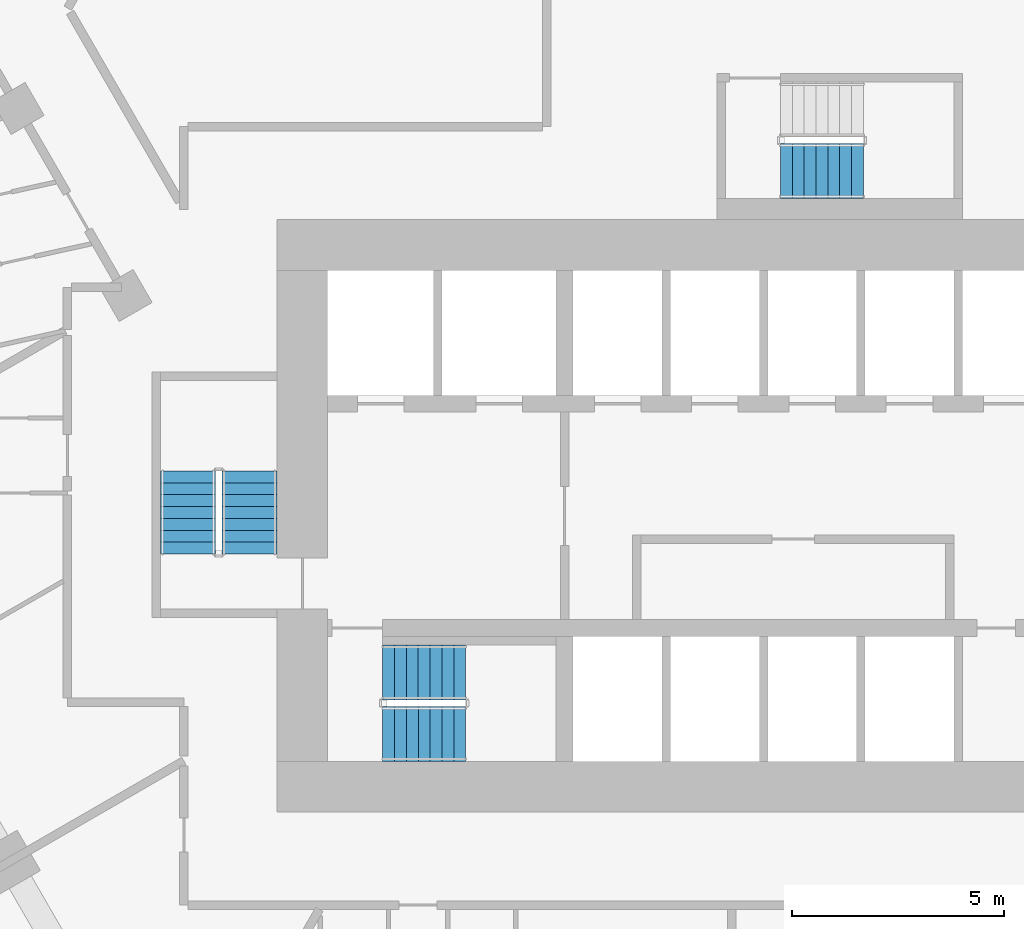
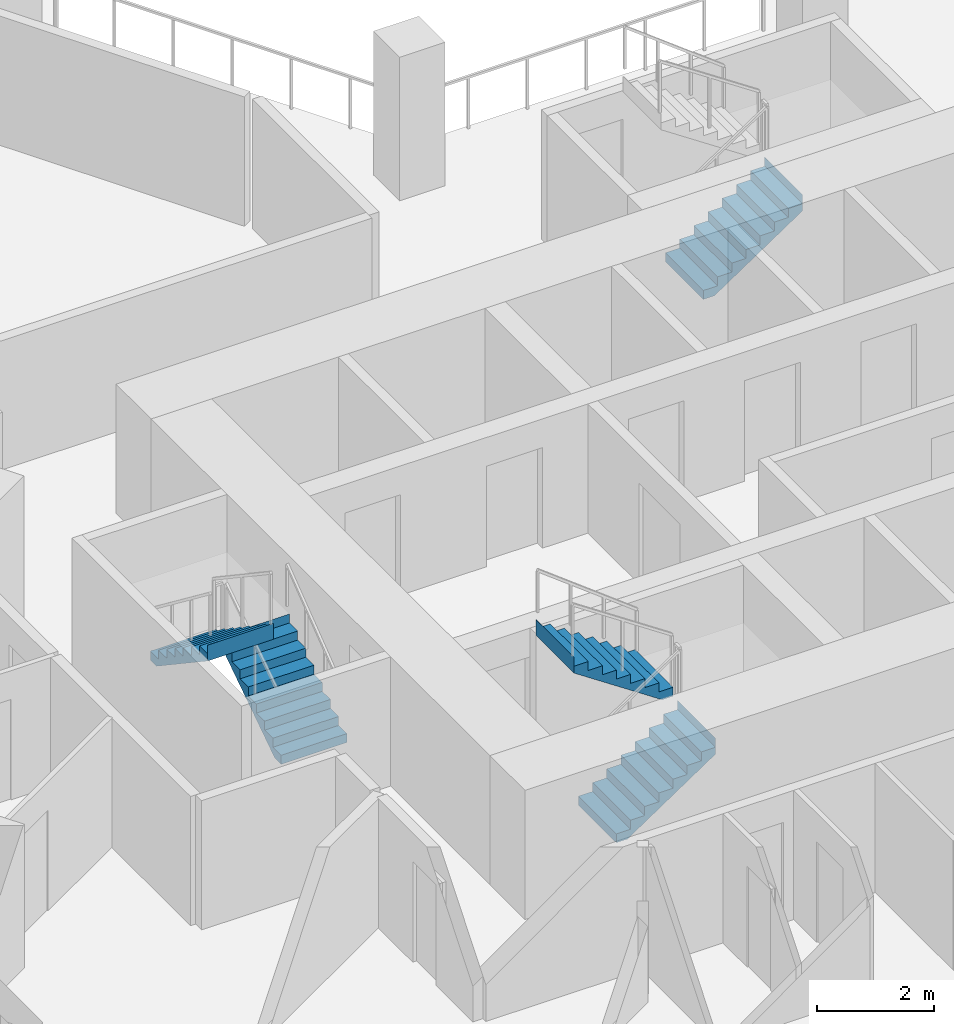
# One storey, part 11 of 16: 5 stair flights, 3 elements without a shape of their own.
"""IFC4 building model written with IfcOpenShell, lengths in metres."""

from ifc_helpers import new_model, si_unit, direction, frame, origin, place, context, subcontext, project, spatial, triangles, material, type_object, element, aggregate, save


model = new_model("IFC4")

# Units and contexts
model_context = context("Model", 3, precision=1e-05, world=origin(), true_north=direction((0.0, 1.0)))
body_context = subcontext(model_context, "Body", "Model", "MODEL_VIEW")
ifc_project = project(units=[si_unit("LENGTHUNIT", "METRE"), si_unit("AREAUNIT", "SQUARE_METRE"), si_unit("VOLUMEUNIT", "CUBIC_METRE"), si_unit("PLANEANGLEUNIT", "RADIAN"), si_unit("MASSUNIT", "GRAM", prefix="KILO")], contexts=[model_context])

# Site, building, storey
site_placement = place(None, origin())
site = spatial("IfcSite", under=ifc_project, at=site_placement, CompositionType="ELEMENT")
building_placement = place(site_placement, origin())
building = spatial("IfcBuilding", under=site, at=building_placement, Name="Beryl Residences", CompositionType="ELEMENT")
storey_placement = place(building_placement, frame((0.0, 0.0, 50.39990234375)))
storey = spatial("IfcBuildingStorey", under=building, at=storey_placement, Name="L15", CompositionType="ELEMENT", Elevation=50.39990234375)

# Stair, stair flights
ifc_material_1 = material(Name="Concrete C40/50", Category="concrete")
stair_type = type_object("IfcStairType", Name="ST1 protected exit stair, half-turn, 1300 mm flights", PredefinedType="HALF_TURN_STAIR", material=ifc_material_1)
stair_1_placement = place(storey_placement, origin())
stair_1 = element("IfcStair", 1, at=stair_1_placement, inside=storey, type_object=stair_type, Name="L15 PROTECTED EXIT STAIR ST-1", PredefinedType="HALF_TURN_STAIR")
ifc_material_2 = material(Name="Concrete C40/50", Category="concrete")
stair_flight_type = type_object("IfcStairFlightType", Name="SF1 stair flight 1300 mm", PredefinedType="STRAIGHT", material=ifc_material_2)
stair_flight_1_placement = place(storey_placement, frame((-10.800048828125, -17.14990234375, 0.0), z_axis=(0.0, 0.0, 1.0), x_axis=(1.0, 0.0, 0.0)))
stair_flight_1 = element("IfcStairFlight", 2, at=stair_flight_1_placement, type_object=stair_flight_type, Name="ST-1 flight 1", NumberOfRisers=8, NumberOfTreads=7, PredefinedType="STRAIGHT", RiserHeight=0.1875, TreadLength=0.28, context=body_context, shape_type="Tessellation", body=[
    triangles([(0.0, -0.64990234375, 0.0), (0.0, -0.324951171875, 0.0), (0.0, 0.0, 0.0), (0.0, 0.324951171875, 0.0), (0.0, 0.64990234375, 0.0), (0.0, -0.64990234375, 0.1875), (0.0, -0.324951171875, 0.1875), (0.0, 0.0, 0.1875), (0.0, 0.324951171875, 0.1875), (0.0, 0.64990234375, 0.1875), (0.280029296875, -0.64990234375, 0.1875), (0.280029296875, -0.324951171875, 0.1875), (0.280029296875, 0.0, 0.1875), (0.280029296875, 0.324951171875, 0.1875), (0.280029296875, 0.64990234375, 0.1875), (0.280029296875, -0.64990234375, 0.375), (0.280029296875, -0.324951171875, 0.375), (0.280029296875, 0.0, 0.375), (0.280029296875, 0.324951171875, 0.375), (0.280029296875, 0.64990234375, 0.375), (0.56005859375, -0.64990234375, 0.375), (0.56005859375, -0.324951171875, 0.375), (0.56005859375, 0.0, 0.375), (0.56005859375, 0.324951171875, 0.375), (0.56005859375, 0.64990234375, 0.375), (0.56005859375, -0.64990234375, 0.5625), (0.56005859375, -0.324951171875, 0.5625), (0.56005859375, 0.0, 0.5625), (0.56005859375, 0.324951171875, 0.5625), (0.56005859375, 0.64990234375, 0.5625), (0.840087890625, -0.64990234375, 0.5625), (0.840087890625, -0.324951171875, 0.5625), (0.840087890625, 0.0, 0.5625), (0.840087890625, 0.324951171875, 0.5625), (0.840087890625, 0.64990234375, 0.5625), (0.840087890625, -0.64990234375, 0.75), (0.840087890625, -0.324951171875, 0.75), (0.840087890625, 0.0, 0.75), (0.840087890625, 0.324951171875, 0.75), (0.840087890625, 0.64990234375, 0.75), (1.1201171875, -0.64990234375, 0.75), (1.1201171875, -0.324951171875, 0.75), (1.1201171875, 0.0, 0.75), (1.1201171875, 0.324951171875, 0.75), (1.1201171875, 0.64990234375, 0.75), (1.1201171875, -0.64990234375, 0.9375), (1.1201171875, -0.324951171875, 0.9375), (1.1201171875, 0.0, 0.9375), (1.1201171875, 0.324951171875, 0.9375), (1.1201171875, 0.64990234375, 0.9375), (1.39990234375, -0.64990234375, 0.9375), (1.39990234375, -0.324951171875, 0.9375), (1.39990234375, 0.0, 0.9375), (1.39990234375, 0.324951171875, 0.9375), (1.39990234375, 0.64990234375, 0.9375), (1.39990234375, -0.64990234375, 1.125), (1.39990234375, -0.324951171875, 1.125), (1.39990234375, 0.0, 1.125), (1.39990234375, 0.324951171875, 1.125), (1.39990234375, 0.64990234375, 1.125), (1.679931640625, -0.64990234375, 1.125), (1.679931640625, -0.324951171875, 1.125), (1.679931640625, 0.0, 1.125), (1.679931640625, 0.324951171875, 1.125), (1.679931640625, 0.64990234375, 1.125), (1.679931640625, -0.64990234375, 1.3125), (1.679931640625, -0.324951171875, 1.3125), (1.679931640625, 0.0, 1.3125), (1.679931640625, 0.324951171875, 1.3125), (1.679931640625, 0.64990234375, 1.3125), (1.9599609375, -0.64990234375, 1.3125), (1.9599609375, -0.324951171875, 1.3125), (1.9599609375, 0.0, 1.3125), (1.9599609375, 0.324951171875, 1.3125), (1.9599609375, 0.64990234375, 1.3125), (1.9599609375, -0.64990234375, 1.5), (1.9599609375, -0.324951171875, 1.5), (1.9599609375, 0.0, 1.5), (1.9599609375, 0.324951171875, 1.5), (1.9599609375, 0.64990234375, 1.5), (1.9609375, -0.64990234375, 1.5), (1.9609375, -0.324951171875, 1.5), (1.9609375, 0.0, 1.5), (1.9609375, 0.324951171875, 1.5), (1.9609375, 0.64990234375, 1.5), (1.9609375, -0.64990234375, 1.16796875), (1.9609375, -0.324951171875, 1.16796875), (1.9609375, 0.0, 1.16796875), (1.9609375, 0.324951171875, 1.16796875), (1.9609375, 0.64990234375, 1.16796875), (0.216796875, -0.64990234375, 0.0), (0.216796875, -0.324951171875, 0.0), (0.216796875, 0.0, 0.0), (0.216796875, 0.324951171875, 0.0), (0.216796875, 0.64990234375, 0.0)], [[1, 6, 7], [1, 7, 2], [2, 7, 8], [2, 8, 3], [3, 8, 9], [3, 9, 4], [4, 9, 10], [4, 10, 5], [6, 11, 12], [6, 12, 7], [7, 12, 13], [7, 13, 8], [8, 13, 14], [8, 14, 9], [9, 14, 15], [9, 15, 10], [11, 16, 17], [11, 17, 12], [12, 17, 18], [12, 18, 13], [13, 18, 19], [13, 19, 14], [14, 19, 20], [14, 20, 15], [16, 21, 22], [16, 22, 17], [17, 22, 23], [17, 23, 18], [18, 23, 24], [18, 24, 19], [19, 24, 25], [19, 25, 20], [21, 26, 27], [21, 27, 22], [22, 27, 28], [22, 28, 23], [23, 28, 29], [23, 29, 24], [24, 29, 30], [24, 30, 25], [26, 31, 32], [26, 32, 27], [27, 32, 33], [27, 33, 28], [28, 33, 34], [28, 34, 29], [29, 34, 35], [29, 35, 30], [31, 36, 37], [31, 37, 32], [32, 37, 38], [32, 38, 33], [33, 38, 39], [33, 39, 34], [34, 39, 40], [34, 40, 35], [36, 41, 42], [36, 42, 37], [37, 42, 43], [37, 43, 38], [38, 43, 44], [38, 44, 39], [39, 44, 45], [39, 45, 40], [41, 46, 47], [41, 47, 42], [42, 47, 48], [42, 48, 43], [43, 48, 49], [43, 49, 44], [44, 49, 50], [44, 50, 45], [46, 51, 52], [46, 52, 47], [47, 52, 53], [47, 53, 48], [48, 53, 54], [48, 54, 49], [49, 54, 55], [49, 55, 50], [51, 56, 57], [51, 57, 52], [52, 57, 58], [52, 58, 53], [53, 58, 59], [53, 59, 54], [54, 59, 60], [54, 60, 55], [56, 61, 62], [56, 62, 57], [57, 62, 63], [57, 63, 58], [58, 63, 64], [58, 64, 59], [59, 64, 65], [59, 65, 60], [61, 66, 67], [61, 67, 62], [62, 67, 68], [62, 68, 63], [63, 68, 69], [63, 69, 64], [64, 69, 70], [64, 70, 65], [66, 71, 72], [66, 72, 67], [67, 72, 73], [67, 73, 68], [68, 73, 74], [68, 74, 69], [69, 74, 75], [69, 75, 70], [71, 76, 77], [71, 77, 72], [72, 77, 78], [72, 78, 73], [73, 78, 79], [73, 79, 74], [74, 79, 80], [74, 80, 75], [76, 81, 82], [76, 82, 77], [77, 82, 83], [77, 83, 78], [78, 83, 84], [78, 84, 79], [79, 84, 85], [79, 85, 80], [81, 86, 87], [81, 87, 82], [82, 87, 88], [82, 88, 83], [83, 88, 89], [83, 89, 84], [84, 89, 90], [84, 90, 85], [86, 91, 92], [86, 92, 87], [87, 92, 93], [87, 93, 88], [88, 93, 94], [88, 94, 89], [89, 94, 95], [89, 95, 90], [91, 1, 2], [91, 2, 92], [92, 2, 3], [92, 3, 93], [93, 3, 4], [93, 4, 94], [94, 4, 5], [94, 5, 95], [1, 91, 86], [5, 90, 95], [86, 81, 76], [90, 80, 85], [86, 76, 71], [90, 75, 80], [86, 71, 66], [90, 70, 75], [86, 66, 61], [90, 65, 70], [61, 56, 51], [65, 55, 60], [86, 61, 51], [90, 55, 65], [51, 46, 41], [55, 45, 50], [86, 51, 41], [90, 45, 55], [41, 36, 31], [45, 35, 40], [86, 41, 31], [90, 35, 45], [31, 26, 21], [35, 25, 30], [86, 31, 21], [90, 25, 35], [21, 16, 11], [25, 15, 20], [86, 21, 11], [90, 15, 25], [1, 86, 11], [5, 15, 90], [11, 6, 1], [15, 5, 10]], closed=True),
])
stair_flight_2_placement = place(storey_placement, frame((-8.840087890625, -15.699951171875, 1.5), z_axis=(0.0, 0.0, 1.0), x_axis=(-1.0, 0.0, 0.0)))
stair_flight_2 = element("IfcStairFlight", 3, at=stair_flight_2_placement, type_object=stair_flight_type, Name="ST-1 flight 2", NumberOfRisers=8, NumberOfTreads=7, PredefinedType="STRAIGHT", RiserHeight=0.1875, TreadLength=0.28, context=body_context, shape_type="Tessellation", body=[
    triangles([(0.0, -0.64990234375, 0.0), (0.0, -0.324951171875, 0.0), (0.0, 0.0, 0.0), (0.0, 0.324951171875, 0.0), (0.0, 0.64990234375, 0.0), (0.0, -0.64990234375, 0.1875), (0.0, -0.324951171875, 0.1875), (0.0, 0.0, 0.1875), (0.0, 0.324951171875, 0.1875), (0.0, 0.64990234375, 0.1875), (0.280029296875, -0.64990234375, 0.1875), (0.280029296875, -0.324951171875, 0.1875), (0.280029296875, 0.0, 0.1875), (0.280029296875, 0.324951171875, 0.1875), (0.280029296875, 0.64990234375, 0.1875), (0.280029296875, -0.64990234375, 0.375), (0.280029296875, -0.324951171875, 0.375), (0.280029296875, 0.0, 0.375), (0.280029296875, 0.324951171875, 0.375), (0.280029296875, 0.64990234375, 0.375), (0.56005859375, -0.64990234375, 0.375), (0.56005859375, -0.324951171875, 0.375), (0.56005859375, 0.0, 0.375), (0.56005859375, 0.324951171875, 0.375), (0.56005859375, 0.64990234375, 0.375), (0.56005859375, -0.64990234375, 0.5625), (0.56005859375, -0.324951171875, 0.5625), (0.56005859375, 0.0, 0.5625), (0.56005859375, 0.324951171875, 0.5625), (0.56005859375, 0.64990234375, 0.5625), (0.840087890625, -0.64990234375, 0.5625), (0.840087890625, -0.324951171875, 0.5625), (0.840087890625, 0.0, 0.5625), (0.840087890625, 0.324951171875, 0.5625), (0.840087890625, 0.64990234375, 0.5625), (0.840087890625, -0.64990234375, 0.75), (0.840087890625, -0.324951171875, 0.75), (0.840087890625, 0.0, 0.75), (0.840087890625, 0.324951171875, 0.75), (0.840087890625, 0.64990234375, 0.75), (1.1201171875, -0.64990234375, 0.75), (1.1201171875, -0.324951171875, 0.75), (1.1201171875, 0.0, 0.75), (1.1201171875, 0.324951171875, 0.75), (1.1201171875, 0.64990234375, 0.75), (1.1201171875, -0.64990234375, 0.9375), (1.1201171875, -0.324951171875, 0.9375), (1.1201171875, 0.0, 0.9375), (1.1201171875, 0.324951171875, 0.9375), (1.1201171875, 0.64990234375, 0.9375), (1.39990234375, -0.64990234375, 0.9375), (1.39990234375, -0.324951171875, 0.9375), (1.39990234375, 0.0, 0.9375), (1.39990234375, 0.324951171875, 0.9375), (1.39990234375, 0.64990234375, 0.9375), (1.39990234375, -0.64990234375, 1.125), (1.39990234375, -0.324951171875, 1.125), (1.39990234375, 0.0, 1.125), (1.39990234375, 0.324951171875, 1.125), (1.39990234375, 0.64990234375, 1.125), (1.679931640625, -0.64990234375, 1.125), (1.679931640625, -0.324951171875, 1.125), (1.679931640625, 0.0, 1.125), (1.679931640625, 0.324951171875, 1.125), (1.679931640625, 0.64990234375, 1.125), (1.679931640625, -0.64990234375, 1.3125), (1.679931640625, -0.324951171875, 1.3125), (1.679931640625, 0.0, 1.3125), (1.679931640625, 0.324951171875, 1.3125), (1.679931640625, 0.64990234375, 1.3125), (1.9599609375, -0.64990234375, 1.3125), (1.9599609375, -0.324951171875, 1.3125), (1.9599609375, 0.0, 1.3125), (1.9599609375, 0.324951171875, 1.3125), (1.9599609375, 0.64990234375, 1.3125), (1.9599609375, -0.64990234375, 1.5), (1.9599609375, -0.324951171875, 1.5), (1.9599609375, 0.0, 1.5), (1.9599609375, 0.324951171875, 1.5), (1.9599609375, 0.64990234375, 1.5), (1.9609375, -0.64990234375, 1.5), (1.9609375, -0.324951171875, 1.5), (1.9609375, 0.0, 1.5), (1.9609375, 0.324951171875, 1.5), (1.9609375, 0.64990234375, 1.5), (1.9609375, -0.64990234375, 1.16796875), (1.9609375, -0.324951171875, 1.16796875), (1.9609375, 0.0, 1.16796875), (1.9609375, 0.324951171875, 1.16796875), (1.9609375, 0.64990234375, 1.16796875), (0.216796875, -0.64990234375, 0.0), (0.216796875, -0.324951171875, 0.0), (0.216796875, 0.0, 0.0), (0.216796875, 0.324951171875, 0.0), (0.216796875, 0.64990234375, 0.0)], [[1, 6, 7], [1, 7, 2], [2, 7, 8], [2, 8, 3], [3, 8, 9], [3, 9, 4], [4, 9, 10], [4, 10, 5], [6, 11, 12], [6, 12, 7], [7, 12, 13], [7, 13, 8], [8, 13, 14], [8, 14, 9], [9, 14, 15], [9, 15, 10], [11, 16, 17], [11, 17, 12], [12, 17, 18], [12, 18, 13], [13, 18, 19], [13, 19, 14], [14, 19, 20], [14, 20, 15], [16, 21, 22], [16, 22, 17], [17, 22, 23], [17, 23, 18], [18, 23, 24], [18, 24, 19], [19, 24, 25], [19, 25, 20], [21, 26, 27], [21, 27, 22], [22, 27, 28], [22, 28, 23], [23, 28, 29], [23, 29, 24], [24, 29, 30], [24, 30, 25], [26, 31, 32], [26, 32, 27], [27, 32, 33], [27, 33, 28], [28, 33, 34], [28, 34, 29], [29, 34, 35], [29, 35, 30], [31, 36, 37], [31, 37, 32], [32, 37, 38], [32, 38, 33], [33, 38, 39], [33, 39, 34], [34, 39, 40], [34, 40, 35], [36, 41, 42], [36, 42, 37], [37, 42, 43], [37, 43, 38], [38, 43, 44], [38, 44, 39], [39, 44, 45], [39, 45, 40], [41, 46, 47], [41, 47, 42], [42, 47, 48], [42, 48, 43], [43, 48, 49], [43, 49, 44], [44, 49, 50], [44, 50, 45], [46, 51, 52], [46, 52, 47], [47, 52, 53], [47, 53, 48], [48, 53, 54], [48, 54, 49], [49, 54, 55], [49, 55, 50], [51, 56, 57], [51, 57, 52], [52, 57, 58], [52, 58, 53], [53, 58, 59], [53, 59, 54], [54, 59, 60], [54, 60, 55], [56, 61, 62], [56, 62, 57], [57, 62, 63], [57, 63, 58], [58, 63, 64], [58, 64, 59], [59, 64, 65], [59, 65, 60], [61, 66, 67], [61, 67, 62], [62, 67, 68], [62, 68, 63], [63, 68, 69], [63, 69, 64], [64, 69, 70], [64, 70, 65], [66, 71, 72], [66, 72, 67], [67, 72, 73], [67, 73, 68], [68, 73, 74], [68, 74, 69], [69, 74, 75], [69, 75, 70], [71, 76, 77], [71, 77, 72], [72, 77, 78], [72, 78, 73], [73, 78, 79], [73, 79, 74], [74, 79, 80], [74, 80, 75], [76, 81, 82], [76, 82, 77], [77, 82, 83], [77, 83, 78], [78, 83, 84], [78, 84, 79], [79, 84, 85], [79, 85, 80], [81, 86, 87], [81, 87, 82], [82, 87, 88], [82, 88, 83], [83, 88, 89], [83, 89, 84], [84, 89, 90], [84, 90, 85], [86, 91, 92], [86, 92, 87], [87, 92, 93], [87, 93, 88], [88, 93, 94], [88, 94, 89], [89, 94, 95], [89, 95, 90], [91, 1, 2], [91, 2, 92], [92, 2, 3], [92, 3, 93], [93, 3, 4], [93, 4, 94], [94, 4, 5], [94, 5, 95], [1, 91, 86], [5, 90, 95], [86, 81, 76], [90, 80, 85], [86, 76, 71], [90, 75, 80], [86, 71, 66], [90, 70, 75], [86, 66, 61], [90, 65, 70], [61, 56, 51], [65, 55, 60], [86, 61, 51], [90, 55, 65], [51, 46, 41], [55, 45, 50], [86, 51, 41], [90, 45, 55], [41, 36, 31], [45, 35, 40], [86, 41, 31], [90, 35, 45], [31, 26, 21], [35, 25, 30], [86, 31, 21], [90, 25, 35], [21, 16, 11], [25, 15, 20], [86, 21, 11], [90, 15, 25], [1, 86, 11], [5, 15, 90], [11, 6, 1], [15, 5, 10]], closed=True),
])
aggregate(stair_1, [stair_flight_1, stair_flight_2])

stair_2_placement = place(storey_placement, origin())
stair_2 = element("IfcStair", 4, at=stair_2_placement, inside=storey, type_object=stair_type, Name="L15 PROTECTED EXIT STAIR ST-2", PredefinedType="HALF_TURN_STAIR")
stair_flight_3_placement = place(storey_placement, frame((-13.949951171875, -12.89990234375, 0.0), z_axis=(0.0, 0.0, 1.0), x_axis=(0.0, 1.0, 0.0)))
stair_flight_3 = element("IfcStairFlight", 5, at=stair_flight_3_placement, type_object=stair_flight_type, Name="ST-2 flight 1", NumberOfRisers=8, NumberOfTreads=7, PredefinedType="STRAIGHT", RiserHeight=0.1875, TreadLength=0.28, context=body_context, shape_type="Tessellation", body=[
    triangles([(0.0, -0.64990234375, 0.0), (0.0, -0.324951171875, 0.0), (0.0, 0.0, 0.0), (0.0, 0.324951171875, 0.0), (0.0, 0.64990234375, 0.0), (0.0, -0.64990234375, 0.1875), (0.0, -0.324951171875, 0.1875), (0.0, 0.0, 0.1875), (0.0, 0.324951171875, 0.1875), (0.0, 0.64990234375, 0.1875), (0.280029296875, -0.64990234375, 0.1875), (0.280029296875, -0.324951171875, 0.1875), (0.280029296875, 0.0, 0.1875), (0.280029296875, 0.324951171875, 0.1875), (0.280029296875, 0.64990234375, 0.1875), (0.280029296875, -0.64990234375, 0.375), (0.280029296875, -0.324951171875, 0.375), (0.280029296875, 0.0, 0.375), (0.280029296875, 0.324951171875, 0.375), (0.280029296875, 0.64990234375, 0.375), (0.56005859375, -0.64990234375, 0.375), (0.56005859375, -0.324951171875, 0.375), (0.56005859375, 0.0, 0.375), (0.56005859375, 0.324951171875, 0.375), (0.56005859375, 0.64990234375, 0.375), (0.56005859375, -0.64990234375, 0.5625), (0.56005859375, -0.324951171875, 0.5625), (0.56005859375, 0.0, 0.5625), (0.56005859375, 0.324951171875, 0.5625), (0.56005859375, 0.64990234375, 0.5625), (0.840087890625, -0.64990234375, 0.5625), (0.840087890625, -0.324951171875, 0.5625), (0.840087890625, 0.0, 0.5625), (0.840087890625, 0.324951171875, 0.5625), (0.840087890625, 0.64990234375, 0.5625), (0.840087890625, -0.64990234375, 0.75), (0.840087890625, -0.324951171875, 0.75), (0.840087890625, 0.0, 0.75), (0.840087890625, 0.324951171875, 0.75), (0.840087890625, 0.64990234375, 0.75), (1.1201171875, -0.64990234375, 0.75), (1.1201171875, -0.324951171875, 0.75), (1.1201171875, 0.0, 0.75), (1.1201171875, 0.324951171875, 0.75), (1.1201171875, 0.64990234375, 0.75), (1.1201171875, -0.64990234375, 0.9375), (1.1201171875, -0.324951171875, 0.9375), (1.1201171875, 0.0, 0.9375), (1.1201171875, 0.324951171875, 0.9375), (1.1201171875, 0.64990234375, 0.9375), (1.39990234375, -0.64990234375, 0.9375), (1.39990234375, -0.324951171875, 0.9375), (1.39990234375, 0.0, 0.9375), (1.39990234375, 0.324951171875, 0.9375), (1.39990234375, 0.64990234375, 0.9375), (1.39990234375, -0.64990234375, 1.125), (1.39990234375, -0.324951171875, 1.125), (1.39990234375, 0.0, 1.125), (1.39990234375, 0.324951171875, 1.125), (1.39990234375, 0.64990234375, 1.125), (1.679931640625, -0.64990234375, 1.125), (1.679931640625, -0.324951171875, 1.125), (1.679931640625, 0.0, 1.125), (1.679931640625, 0.324951171875, 1.125), (1.679931640625, 0.64990234375, 1.125), (1.679931640625, -0.64990234375, 1.3125), (1.679931640625, -0.324951171875, 1.3125), (1.679931640625, 0.0, 1.3125), (1.679931640625, 0.324951171875, 1.3125), (1.679931640625, 0.64990234375, 1.3125), (1.9599609375, -0.64990234375, 1.3125), (1.9599609375, -0.324951171875, 1.3125), (1.9599609375, 0.0, 1.3125), (1.9599609375, 0.324951171875, 1.3125), (1.9599609375, 0.64990234375, 1.3125), (1.9599609375, -0.64990234375, 1.5), (1.9599609375, -0.324951171875, 1.5), (1.9599609375, 0.0, 1.5), (1.9599609375, 0.324951171875, 1.5), (1.9599609375, 0.64990234375, 1.5), (1.9609375, -0.64990234375, 1.5), (1.9609375, -0.324951171875, 1.5), (1.9609375, 0.0, 1.5), (1.9609375, 0.324951171875, 1.5), (1.9609375, 0.64990234375, 1.5), (1.9609375, -0.64990234375, 1.16796875), (1.9609375, -0.324951171875, 1.16796875), (1.9609375, 0.0, 1.16796875), (1.9609375, 0.324951171875, 1.16796875), (1.9609375, 0.64990234375, 1.16796875), (0.216796875, -0.64990234375, 0.0), (0.216796875, -0.324951171875, 0.0), (0.216796875, 0.0, 0.0), (0.216796875, 0.324951171875, 0.0), (0.216796875, 0.64990234375, 0.0)], [[1, 6, 7], [1, 7, 2], [2, 7, 8], [2, 8, 3], [3, 8, 9], [3, 9, 4], [4, 9, 10], [4, 10, 5], [6, 11, 12], [6, 12, 7], [7, 12, 13], [7, 13, 8], [8, 13, 14], [8, 14, 9], [9, 14, 15], [9, 15, 10], [11, 16, 17], [11, 17, 12], [12, 17, 18], [12, 18, 13], [13, 18, 19], [13, 19, 14], [14, 19, 20], [14, 20, 15], [16, 21, 22], [16, 22, 17], [17, 22, 23], [17, 23, 18], [18, 23, 24], [18, 24, 19], [19, 24, 25], [19, 25, 20], [21, 26, 27], [21, 27, 22], [22, 27, 28], [22, 28, 23], [23, 28, 29], [23, 29, 24], [24, 29, 30], [24, 30, 25], [26, 31, 32], [26, 32, 27], [27, 32, 33], [27, 33, 28], [28, 33, 34], [28, 34, 29], [29, 34, 35], [29, 35, 30], [31, 36, 37], [31, 37, 32], [32, 37, 38], [32, 38, 33], [33, 38, 39], [33, 39, 34], [34, 39, 40], [34, 40, 35], [36, 41, 42], [36, 42, 37], [37, 42, 43], [37, 43, 38], [38, 43, 44], [38, 44, 39], [39, 44, 45], [39, 45, 40], [41, 46, 47], [41, 47, 42], [42, 47, 48], [42, 48, 43], [43, 48, 49], [43, 49, 44], [44, 49, 50], [44, 50, 45], [46, 51, 52], [46, 52, 47], [47, 52, 53], [47, 53, 48], [48, 53, 54], [48, 54, 49], [49, 54, 55], [49, 55, 50], [51, 56, 57], [51, 57, 52], [52, 57, 58], [52, 58, 53], [53, 58, 59], [53, 59, 54], [54, 59, 60], [54, 60, 55], [56, 61, 62], [56, 62, 57], [57, 62, 63], [57, 63, 58], [58, 63, 64], [58, 64, 59], [59, 64, 65], [59, 65, 60], [61, 66, 67], [61, 67, 62], [62, 67, 68], [62, 68, 63], [63, 68, 69], [63, 69, 64], [64, 69, 70], [64, 70, 65], [66, 71, 72], [66, 72, 67], [67, 72, 73], [67, 73, 68], [68, 73, 74], [68, 74, 69], [69, 74, 75], [69, 75, 70], [71, 76, 77], [71, 77, 72], [72, 77, 78], [72, 78, 73], [73, 78, 79], [73, 79, 74], [74, 79, 80], [74, 80, 75], [76, 81, 82], [76, 82, 77], [77, 82, 83], [77, 83, 78], [78, 83, 84], [78, 84, 79], [79, 84, 85], [79, 85, 80], [81, 86, 87], [81, 87, 82], [82, 87, 88], [82, 88, 83], [83, 88, 89], [83, 89, 84], [84, 89, 90], [84, 90, 85], [86, 91, 92], [86, 92, 87], [87, 92, 93], [87, 93, 88], [88, 93, 94], [88, 94, 89], [89, 94, 95], [89, 95, 90], [91, 1, 2], [91, 2, 92], [92, 2, 3], [92, 3, 93], [93, 3, 4], [93, 4, 94], [94, 4, 5], [94, 5, 95], [1, 91, 86], [5, 90, 95], [86, 81, 76], [90, 80, 85], [86, 76, 71], [90, 75, 80], [86, 71, 66], [90, 70, 75], [86, 66, 61], [90, 65, 70], [61, 56, 51], [65, 55, 60], [86, 61, 51], [90, 55, 65], [51, 46, 41], [55, 45, 50], [86, 51, 41], [90, 45, 55], [41, 36, 31], [45, 35, 40], [86, 41, 31], [90, 35, 45], [31, 26, 21], [35, 25, 30], [86, 31, 21], [90, 25, 35], [21, 16, 11], [25, 15, 20], [86, 21, 11], [90, 15, 25], [1, 86, 11], [5, 15, 90], [11, 6, 1], [15, 5, 10]], closed=True),
])
stair_flight_4_placement = place(storey_placement, frame((-15.39990234375, -10.93994140625, 1.5), z_axis=(0.0, 0.0, 1.0), x_axis=(0.0, -1.0, 0.0)))
stair_flight_4 = element("IfcStairFlight", 6, at=stair_flight_4_placement, type_object=stair_flight_type, Name="ST-2 flight 2", NumberOfRisers=8, NumberOfTreads=7, PredefinedType="STRAIGHT", RiserHeight=0.1875, TreadLength=0.28, context=body_context, shape_type="Tessellation", body=[
    triangles([(0.0, -0.64990234375, 0.0), (0.0, -0.324951171875, 0.0), (0.0, 0.0, 0.0), (0.0, 0.324951171875, 0.0), (0.0, 0.64990234375, 0.0), (0.0, -0.64990234375, 0.1875), (0.0, -0.324951171875, 0.1875), (0.0, 0.0, 0.1875), (0.0, 0.324951171875, 0.1875), (0.0, 0.64990234375, 0.1875), (0.280029296875, -0.64990234375, 0.1875), (0.280029296875, -0.324951171875, 0.1875), (0.280029296875, 0.0, 0.1875), (0.280029296875, 0.324951171875, 0.1875), (0.280029296875, 0.64990234375, 0.1875), (0.280029296875, -0.64990234375, 0.375), (0.280029296875, -0.324951171875, 0.375), (0.280029296875, 0.0, 0.375), (0.280029296875, 0.324951171875, 0.375), (0.280029296875, 0.64990234375, 0.375), (0.56005859375, -0.64990234375, 0.375), (0.56005859375, -0.324951171875, 0.375), (0.56005859375, 0.0, 0.375), (0.56005859375, 0.324951171875, 0.375), (0.56005859375, 0.64990234375, 0.375), (0.56005859375, -0.64990234375, 0.5625), (0.56005859375, -0.324951171875, 0.5625), (0.56005859375, 0.0, 0.5625), (0.56005859375, 0.324951171875, 0.5625), (0.56005859375, 0.64990234375, 0.5625), (0.840087890625, -0.64990234375, 0.5625), (0.840087890625, -0.324951171875, 0.5625), (0.840087890625, 0.0, 0.5625), (0.840087890625, 0.324951171875, 0.5625), (0.840087890625, 0.64990234375, 0.5625), (0.840087890625, -0.64990234375, 0.75), (0.840087890625, -0.324951171875, 0.75), (0.840087890625, 0.0, 0.75), (0.840087890625, 0.324951171875, 0.75), (0.840087890625, 0.64990234375, 0.75), (1.1201171875, -0.64990234375, 0.75), (1.1201171875, -0.324951171875, 0.75), (1.1201171875, 0.0, 0.75), (1.1201171875, 0.324951171875, 0.75), (1.1201171875, 0.64990234375, 0.75), (1.1201171875, -0.64990234375, 0.9375), (1.1201171875, -0.324951171875, 0.9375), (1.1201171875, 0.0, 0.9375), (1.1201171875, 0.324951171875, 0.9375), (1.1201171875, 0.64990234375, 0.9375), (1.39990234375, -0.64990234375, 0.9375), (1.39990234375, -0.324951171875, 0.9375), (1.39990234375, 0.0, 0.9375), (1.39990234375, 0.324951171875, 0.9375), (1.39990234375, 0.64990234375, 0.9375), (1.39990234375, -0.64990234375, 1.125), (1.39990234375, -0.324951171875, 1.125), (1.39990234375, 0.0, 1.125), (1.39990234375, 0.324951171875, 1.125), (1.39990234375, 0.64990234375, 1.125), (1.679931640625, -0.64990234375, 1.125), (1.679931640625, -0.324951171875, 1.125), (1.679931640625, 0.0, 1.125), (1.679931640625, 0.324951171875, 1.125), (1.679931640625, 0.64990234375, 1.125), (1.679931640625, -0.64990234375, 1.3125), (1.679931640625, -0.324951171875, 1.3125), (1.679931640625, 0.0, 1.3125), (1.679931640625, 0.324951171875, 1.3125), (1.679931640625, 0.64990234375, 1.3125), (1.9599609375, -0.64990234375, 1.3125), (1.9599609375, -0.324951171875, 1.3125), (1.9599609375, 0.0, 1.3125), (1.9599609375, 0.324951171875, 1.3125), (1.9599609375, 0.64990234375, 1.3125), (1.9599609375, -0.64990234375, 1.5), (1.9599609375, -0.324951171875, 1.5), (1.9599609375, 0.0, 1.5), (1.9599609375, 0.324951171875, 1.5), (1.9599609375, 0.64990234375, 1.5), (1.9609375, -0.64990234375, 1.5), (1.9609375, -0.324951171875, 1.5), (1.9609375, 0.0, 1.5), (1.9609375, 0.324951171875, 1.5), (1.9609375, 0.64990234375, 1.5), (1.9609375, -0.64990234375, 1.16796875), (1.9609375, -0.324951171875, 1.16796875), (1.9609375, 0.0, 1.16796875), (1.9609375, 0.324951171875, 1.16796875), (1.9609375, 0.64990234375, 1.16796875), (0.216796875, -0.64990234375, 0.0), (0.216796875, -0.324951171875, 0.0), (0.216796875, 0.0, 0.0), (0.216796875, 0.324951171875, 0.0), (0.216796875, 0.64990234375, 0.0)], [[1, 6, 7], [1, 7, 2], [2, 7, 8], [2, 8, 3], [3, 8, 9], [3, 9, 4], [4, 9, 10], [4, 10, 5], [6, 11, 12], [6, 12, 7], [7, 12, 13], [7, 13, 8], [8, 13, 14], [8, 14, 9], [9, 14, 15], [9, 15, 10], [11, 16, 17], [11, 17, 12], [12, 17, 18], [12, 18, 13], [13, 18, 19], [13, 19, 14], [14, 19, 20], [14, 20, 15], [16, 21, 22], [16, 22, 17], [17, 22, 23], [17, 23, 18], [18, 23, 24], [18, 24, 19], [19, 24, 25], [19, 25, 20], [21, 26, 27], [21, 27, 22], [22, 27, 28], [22, 28, 23], [23, 28, 29], [23, 29, 24], [24, 29, 30], [24, 30, 25], [26, 31, 32], [26, 32, 27], [27, 32, 33], [27, 33, 28], [28, 33, 34], [28, 34, 29], [29, 34, 35], [29, 35, 30], [31, 36, 37], [31, 37, 32], [32, 37, 38], [32, 38, 33], [33, 38, 39], [33, 39, 34], [34, 39, 40], [34, 40, 35], [36, 41, 42], [36, 42, 37], [37, 42, 43], [37, 43, 38], [38, 43, 44], [38, 44, 39], [39, 44, 45], [39, 45, 40], [41, 46, 47], [41, 47, 42], [42, 47, 48], [42, 48, 43], [43, 48, 49], [43, 49, 44], [44, 49, 50], [44, 50, 45], [46, 51, 52], [46, 52, 47], [47, 52, 53], [47, 53, 48], [48, 53, 54], [48, 54, 49], [49, 54, 55], [49, 55, 50], [51, 56, 57], [51, 57, 52], [52, 57, 58], [52, 58, 53], [53, 58, 59], [53, 59, 54], [54, 59, 60], [54, 60, 55], [56, 61, 62], [56, 62, 57], [57, 62, 63], [57, 63, 58], [58, 63, 64], [58, 64, 59], [59, 64, 65], [59, 65, 60], [61, 66, 67], [61, 67, 62], [62, 67, 68], [62, 68, 63], [63, 68, 69], [63, 69, 64], [64, 69, 70], [64, 70, 65], [66, 71, 72], [66, 72, 67], [67, 72, 73], [67, 73, 68], [68, 73, 74], [68, 74, 69], [69, 74, 75], [69, 75, 70], [71, 76, 77], [71, 77, 72], [72, 77, 78], [72, 78, 73], [73, 78, 79], [73, 79, 74], [74, 79, 80], [74, 80, 75], [76, 81, 82], [76, 82, 77], [77, 82, 83], [77, 83, 78], [78, 83, 84], [78, 84, 79], [79, 84, 85], [79, 85, 80], [81, 86, 87], [81, 87, 82], [82, 87, 88], [82, 88, 83], [83, 88, 89], [83, 89, 84], [84, 89, 90], [84, 90, 85], [86, 91, 92], [86, 92, 87], [87, 92, 93], [87, 93, 88], [88, 93, 94], [88, 94, 89], [89, 94, 95], [89, 95, 90], [91, 1, 2], [91, 2, 92], [92, 2, 3], [92, 3, 93], [93, 3, 4], [93, 4, 94], [94, 4, 5], [94, 5, 95], [1, 91, 86], [5, 90, 95], [86, 81, 76], [90, 80, 85], [86, 76, 71], [90, 75, 80], [86, 71, 66], [90, 70, 75], [86, 66, 61], [90, 65, 70], [61, 56, 51], [65, 55, 60], [86, 61, 51], [90, 55, 65], [51, 46, 41], [55, 45, 50], [86, 51, 41], [90, 45, 55], [41, 36, 31], [45, 35, 40], [86, 41, 31], [90, 35, 45], [31, 26, 21], [35, 25, 30], [86, 31, 21], [90, 25, 35], [21, 16, 11], [25, 15, 20], [86, 21, 11], [90, 15, 25], [1, 86, 11], [5, 15, 90], [11, 6, 1], [15, 5, 10]], closed=True),
])
aggregate(stair_2, [stair_flight_3, stair_flight_4])

# Stair, stair flight
stair_3_placement = place(storey_placement, origin())
stair_3 = element("IfcStair", 7, at=stair_3_placement, inside=storey, type_object=stair_type, Name="L15 PROTECTED EXIT STAIR ST-4", PredefinedType="HALF_TURN_STAIR")
stair_flight_5_placement = place(storey_placement, frame((-1.39990234375, -3.85009765625, 0.0), z_axis=(0.0, 0.0, 1.0), x_axis=(1.0, 0.0, 0.0)))
stair_flight_5 = element("IfcStairFlight", 8, at=stair_flight_5_placement, type_object=stair_flight_type, Name="ST-4 flight 1", NumberOfRisers=8, NumberOfTreads=7, PredefinedType="STRAIGHT", RiserHeight=0.1875, TreadLength=0.28, context=body_context, shape_type="Tessellation", body=[
    triangles([(0.0, -0.64990234375, 0.0), (0.0, -0.324951171875, 0.0), (0.0, 0.0, 0.0), (0.0, 0.324951171875, 0.0), (0.0, 0.64990234375, 0.0), (0.0, -0.64990234375, 0.1875), (0.0, -0.324951171875, 0.1875), (0.0, 0.0, 0.1875), (0.0, 0.324951171875, 0.1875), (0.0, 0.64990234375, 0.1875), (0.280029296875, -0.64990234375, 0.1875), (0.280029296875, -0.324951171875, 0.1875), (0.280029296875, 0.0, 0.1875), (0.280029296875, 0.324951171875, 0.1875), (0.280029296875, 0.64990234375, 0.1875), (0.280029296875, -0.64990234375, 0.375), (0.280029296875, -0.324951171875, 0.375), (0.280029296875, 0.0, 0.375), (0.280029296875, 0.324951171875, 0.375), (0.280029296875, 0.64990234375, 0.375), (0.56005859375, -0.64990234375, 0.375), (0.56005859375, -0.324951171875, 0.375), (0.56005859375, 0.0, 0.375), (0.56005859375, 0.324951171875, 0.375), (0.56005859375, 0.64990234375, 0.375), (0.56005859375, -0.64990234375, 0.5625), (0.56005859375, -0.324951171875, 0.5625), (0.56005859375, 0.0, 0.5625), (0.56005859375, 0.324951171875, 0.5625), (0.56005859375, 0.64990234375, 0.5625), (0.840087890625, -0.64990234375, 0.5625), (0.840087890625, -0.324951171875, 0.5625), (0.840087890625, 0.0, 0.5625), (0.840087890625, 0.324951171875, 0.5625), (0.840087890625, 0.64990234375, 0.5625), (0.840087890625, -0.64990234375, 0.75), (0.840087890625, -0.324951171875, 0.75), (0.840087890625, 0.0, 0.75), (0.840087890625, 0.324951171875, 0.75), (0.840087890625, 0.64990234375, 0.75), (1.1201171875, -0.64990234375, 0.75), (1.1201171875, -0.324951171875, 0.75), (1.1201171875, 0.0, 0.75), (1.1201171875, 0.324951171875, 0.75), (1.1201171875, 0.64990234375, 0.75), (1.1201171875, -0.64990234375, 0.9375), (1.1201171875, -0.324951171875, 0.9375), (1.1201171875, 0.0, 0.9375), (1.1201171875, 0.324951171875, 0.9375), (1.1201171875, 0.64990234375, 0.9375), (1.39990234375, -0.64990234375, 0.9375), (1.39990234375, -0.324951171875, 0.9375), (1.39990234375, 0.0, 0.9375), (1.39990234375, 0.324951171875, 0.9375), (1.39990234375, 0.64990234375, 0.9375), (1.39990234375, -0.64990234375, 1.125), (1.39990234375, -0.324951171875, 1.125), (1.39990234375, 0.0, 1.125), (1.39990234375, 0.324951171875, 1.125), (1.39990234375, 0.64990234375, 1.125), (1.679931640625, -0.64990234375, 1.125), (1.679931640625, -0.324951171875, 1.125), (1.679931640625, 0.0, 1.125), (1.679931640625, 0.324951171875, 1.125), (1.679931640625, 0.64990234375, 1.125), (1.679931640625, -0.64990234375, 1.3125), (1.679931640625, -0.324951171875, 1.3125), (1.679931640625, 0.0, 1.3125), (1.679931640625, 0.324951171875, 1.3125), (1.679931640625, 0.64990234375, 1.3125), (1.9599609375, -0.64990234375, 1.3125), (1.9599609375, -0.324951171875, 1.3125), (1.9599609375, 0.0, 1.3125), (1.9599609375, 0.324951171875, 1.3125), (1.9599609375, 0.64990234375, 1.3125), (1.9599609375, -0.64990234375, 1.5), (1.9599609375, -0.324951171875, 1.5), (1.9599609375, 0.0, 1.5), (1.9599609375, 0.324951171875, 1.5), (1.9599609375, 0.64990234375, 1.5), (1.9609375, -0.64990234375, 1.5), (1.9609375, -0.324951171875, 1.5), (1.9609375, 0.0, 1.5), (1.9609375, 0.324951171875, 1.5), (1.9609375, 0.64990234375, 1.5), (1.9609375, -0.64990234375, 1.16796875), (1.9609375, -0.324951171875, 1.16796875), (1.9609375, 0.0, 1.16796875), (1.9609375, 0.324951171875, 1.16796875), (1.9609375, 0.64990234375, 1.16796875), (0.216796875, -0.64990234375, 0.0), (0.216796875, -0.324951171875, 0.0), (0.216796875, 0.0, 0.0), (0.216796875, 0.324951171875, 0.0), (0.216796875, 0.64990234375, 0.0)], [[1, 6, 7], [1, 7, 2], [2, 7, 8], [2, 8, 3], [3, 8, 9], [3, 9, 4], [4, 9, 10], [4, 10, 5], [6, 11, 12], [6, 12, 7], [7, 12, 13], [7, 13, 8], [8, 13, 14], [8, 14, 9], [9, 14, 15], [9, 15, 10], [11, 16, 17], [11, 17, 12], [12, 17, 18], [12, 18, 13], [13, 18, 19], [13, 19, 14], [14, 19, 20], [14, 20, 15], [16, 21, 22], [16, 22, 17], [17, 22, 23], [17, 23, 18], [18, 23, 24], [18, 24, 19], [19, 24, 25], [19, 25, 20], [21, 26, 27], [21, 27, 22], [22, 27, 28], [22, 28, 23], [23, 28, 29], [23, 29, 24], [24, 29, 30], [24, 30, 25], [26, 31, 32], [26, 32, 27], [27, 32, 33], [27, 33, 28], [28, 33, 34], [28, 34, 29], [29, 34, 35], [29, 35, 30], [31, 36, 37], [31, 37, 32], [32, 37, 38], [32, 38, 33], [33, 38, 39], [33, 39, 34], [34, 39, 40], [34, 40, 35], [36, 41, 42], [36, 42, 37], [37, 42, 43], [37, 43, 38], [38, 43, 44], [38, 44, 39], [39, 44, 45], [39, 45, 40], [41, 46, 47], [41, 47, 42], [42, 47, 48], [42, 48, 43], [43, 48, 49], [43, 49, 44], [44, 49, 50], [44, 50, 45], [46, 51, 52], [46, 52, 47], [47, 52, 53], [47, 53, 48], [48, 53, 54], [48, 54, 49], [49, 54, 55], [49, 55, 50], [51, 56, 57], [51, 57, 52], [52, 57, 58], [52, 58, 53], [53, 58, 59], [53, 59, 54], [54, 59, 60], [54, 60, 55], [56, 61, 62], [56, 62, 57], [57, 62, 63], [57, 63, 58], [58, 63, 64], [58, 64, 59], [59, 64, 65], [59, 65, 60], [61, 66, 67], [61, 67, 62], [62, 67, 68], [62, 68, 63], [63, 68, 69], [63, 69, 64], [64, 69, 70], [64, 70, 65], [66, 71, 72], [66, 72, 67], [67, 72, 73], [67, 73, 68], [68, 73, 74], [68, 74, 69], [69, 74, 75], [69, 75, 70], [71, 76, 77], [71, 77, 72], [72, 77, 78], [72, 78, 73], [73, 78, 79], [73, 79, 74], [74, 79, 80], [74, 80, 75], [76, 81, 82], [76, 82, 77], [77, 82, 83], [77, 83, 78], [78, 83, 84], [78, 84, 79], [79, 84, 85], [79, 85, 80], [81, 86, 87], [81, 87, 82], [82, 87, 88], [82, 88, 83], [83, 88, 89], [83, 89, 84], [84, 89, 90], [84, 90, 85], [86, 91, 92], [86, 92, 87], [87, 92, 93], [87, 93, 88], [88, 93, 94], [88, 94, 89], [89, 94, 95], [89, 95, 90], [91, 1, 2], [91, 2, 92], [92, 2, 3], [92, 3, 93], [93, 3, 4], [93, 4, 94], [94, 4, 5], [94, 5, 95], [1, 91, 86], [5, 90, 95], [86, 81, 76], [90, 80, 85], [86, 76, 71], [90, 75, 80], [86, 71, 66], [90, 70, 75], [86, 66, 61], [90, 65, 70], [61, 56, 51], [65, 55, 60], [86, 61, 51], [90, 55, 65], [51, 46, 41], [55, 45, 50], [86, 51, 41], [90, 45, 55], [41, 36, 31], [45, 35, 40], [86, 41, 31], [90, 35, 45], [31, 26, 21], [35, 25, 30], [86, 31, 21], [90, 25, 35], [21, 16, 11], [25, 15, 20], [86, 21, 11], [90, 15, 25], [1, 86, 11], [5, 15, 90], [11, 6, 1], [15, 5, 10]], closed=True),
])
aggregate(stair_3, [stair_flight_5])

save(model, "model.ifc")
